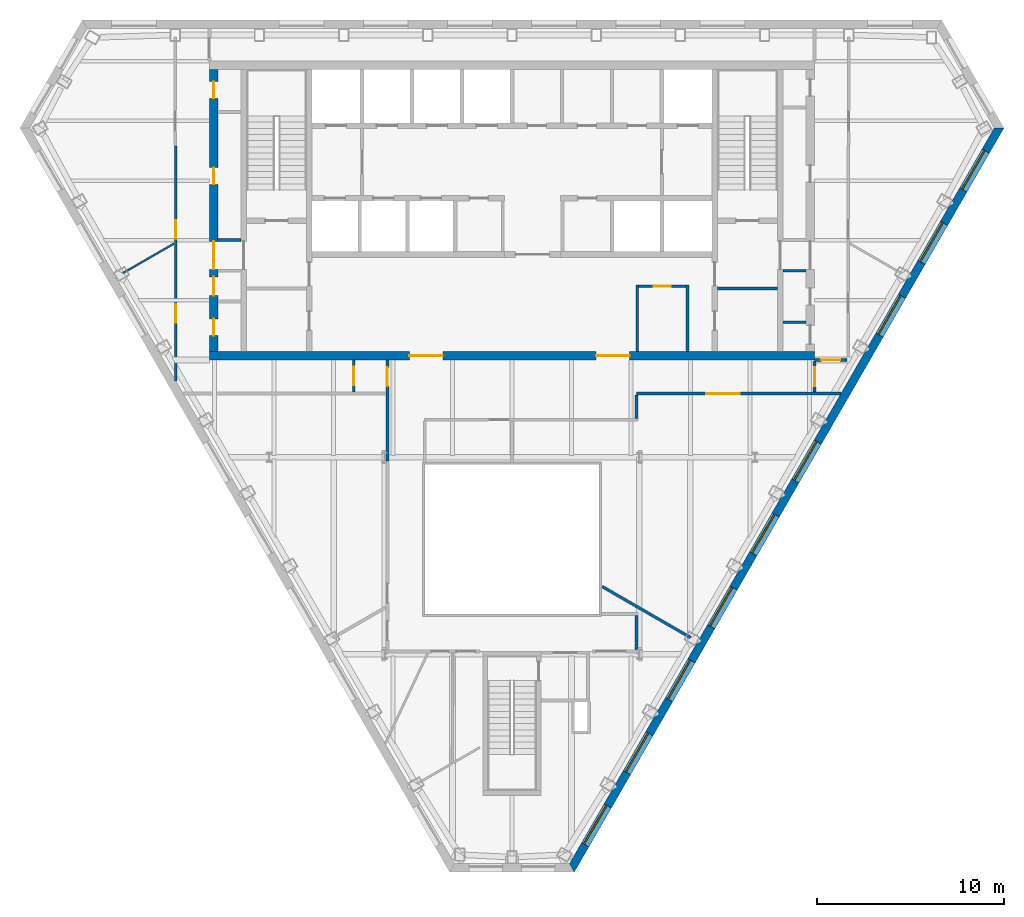
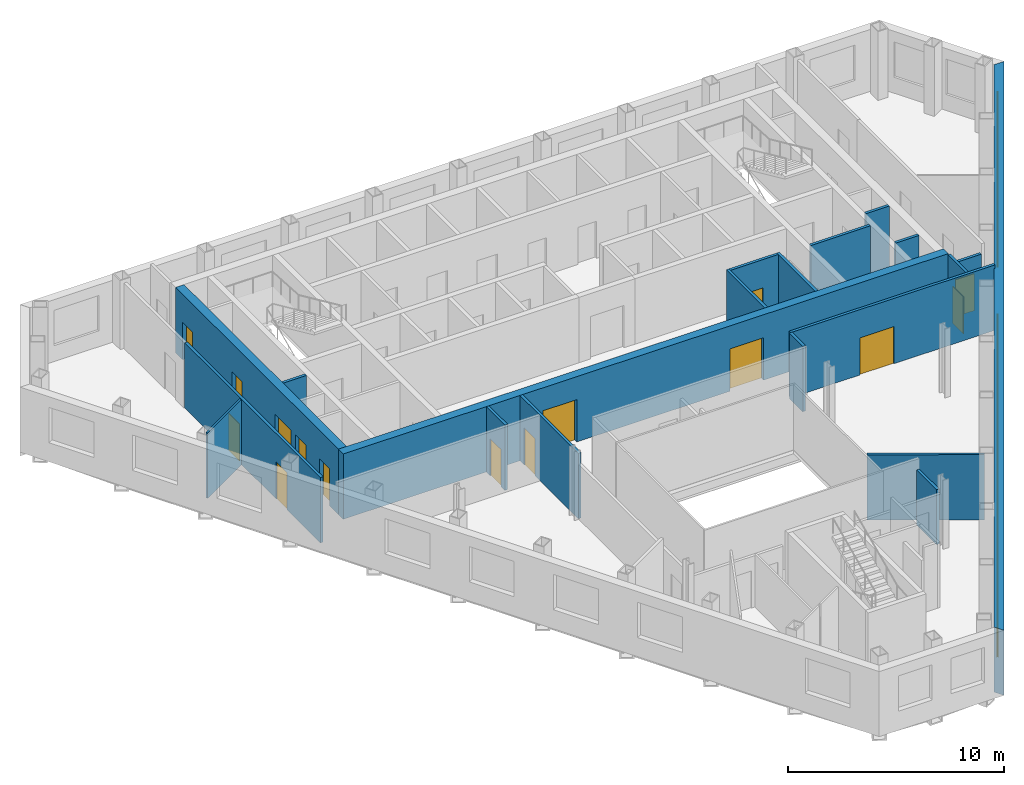
# One storey, part 5 of 10: 20 walls, 15 doors, 9 windows, 24 openings.
"""IFC4 building model written with IfcOpenShell, lengths in metres."""

from ifc_helpers import new_model, si_unit, direction, frame, frame_2d, origin, place, context, subcontext, project, spatial, polyline, rectangle, outline, extrude, material, layer, layer_set, type_object, element, fill, save


model = new_model("IFC4")

# Units and contexts
model_context = context("Model", 3, precision=1e-05, world=origin(), true_north=direction((0.0, 1.0)))
body_context = subcontext(model_context, "Body", "Model", "MODEL_VIEW")
ifc_project = project(units=[si_unit("LENGTHUNIT", "METRE"), si_unit("AREAUNIT", "SQUARE_METRE"), si_unit("VOLUMEUNIT", "CUBIC_METRE"), si_unit("PLANEANGLEUNIT", "RADIAN"), si_unit("MASSUNIT", "GRAM", prefix="KILO")], contexts=[model_context])

# Site, building, storey
site_placement = place(None, origin())
site = spatial("IfcSite", under=ifc_project, at=site_placement, CompositionType="ELEMENT")
building_placement = place(site_placement, origin())
building = spatial("IfcBuilding", under=site, at=building_placement, Name="Njiva Tower", CompositionType="ELEMENT")
storey_placement = place(building_placement, frame((0.0, 0.0, 227.7)))
storey = spatial("IfcBuildingStorey", under=building, at=storey_placement, Name="L51", CompositionType="ELEMENT", Elevation=227.7)

# Walls
ifc_material_1 = material(Name="Blockwork", Category="masonry")
ifc_layer_1 = layer(ifc_material_1, 0.15)
ifc_layer_set_1 = layer_set([ifc_layer_1], Name="Blockwork")
wall_type_1 = type_object("IfcWallType", Name="WT1 Compartment partition 150", PredefinedType="PARTITIONING", material=ifc_layer_set_1)
wall_1_placement = place(storey_placement, frame((11.0, 5.825, 0.0), z_axis=(0.0, 0.0, 1.0), x_axis=(1.0, 0.0, 0.0)))
element("IfcWall", 1, at=wall_1_placement, inside=storey, type_object=wall_type_1, Name="Room wall B", PredefinedType="PARTITIONING", context=body_context, shape_type="SweptSolid", body=[
    extrude(rectangle(XDim=3.2, YDim=0.15, at=frame_2d((1.6, 0.0))), origin(), (0.0, 0.0, 1.0), 3.7),
])
wall_2_placement = place(storey_placement, frame((14.5, 4.025, 0.0), z_axis=(0.0, 0.0, 1.0), x_axis=(1.0, 0.0, 0.0)))
element("IfcWall", 2, at=wall_2_placement, inside=storey, type_object=wall_type_1, Name="Partition strip E00", PredefinedType="PARTITIONING", context=body_context, shape_type="SweptSolid", body=[
    extrude(rectangle(XDim=1.25, YDim=0.15, at=frame_2d((0.625, 0.0))), origin(), (0.0, 0.0, 1.0), 3.7),
])
for number, where, z_axis, x_axis, name in (
    (3, (6.7, 2.45, 0.0), (0.0, 0.0, 1.0), (0.0, 1.0, 0.0), "Security office wall west"),
    (4, (9.4, 2.45, 0.0), (0.0, 0.0, 1.0), (0.0, 1.0, 0.0), "Security office wall east"),
):
    element("IfcWall", number, at=place(storey_placement, frame(where, z_axis=z_axis, x_axis=x_axis)), inside=storey, type_object=wall_type_1, Name=name, PredefinedType="PARTITIONING", context=body_context, shape_type="SweptSolid", body=[
        extrude(rectangle(XDim=3.575, YDim=0.15, at=frame_2d((1.7875, 0.0))), origin(), (0.0, 0.0, 1.0), 3.7),
    ])

# Wall, opening, door
wall_3_placement = place(storey_placement, frame((6.775, 5.95, 0.0), z_axis=(0.0, 0.0, 1.0), x_axis=(1.0, 0.0, 0.0)))
wall_3 = element("IfcWall", 5, at=wall_3_placement, inside=storey, type_object=wall_type_1, Name="Security office wall north", PredefinedType="PARTITIONING", context=body_context, shape_type="SweptSolid", body=[
    extrude(rectangle(XDim=2.55, YDim=0.15, at=frame_2d((1.275, 0.0))), origin(), (0.0, 0.0, 1.0), 3.7),
])
opening_1_placement = place(wall_3_placement, frame((0.825, 0.0, 0.0)))
opening_1 = element("IfcOpeningElement", 6, at=opening_1_placement, cuts=wall_3, Name="Opening S17-D934", PredefinedType="OPENING", context=body_context, shape_type="SweptSolid", body=[
    extrude(rectangle(XDim=0.9, YDim=2.1, at=frame_2d((0.45, 1.05))), frame((0.0, 0.085, 0.0), z_axis=(0.0, -1.0, 0.0), x_axis=(1.0, 0.0, 0.0)), (0.0, 0.0, 1.0), 0.17),
])
ifc_material_2 = material(Name="Steel fire door, painted", Category="steel")
door_type_1 = type_object("IfcDoorType", Name="D6 Fire-rated door 900x2100", OperationType="SINGLE_SWING_LEFT", PredefinedType="DOOR", material=ifc_material_2)
door_1_placement = place(opening_1_placement, origin())
door_1 = element("IfcDoor", 7, at=door_1_placement, inside=storey, type_object=door_type_1, Name="Security office door", OperationType="SINGLE_SWING_RIGHT", OverallHeight=2.1, OverallWidth=0.9, PredefinedType="DOOR", context=body_context, shape_type="SweptSolid", body=[
    extrude(rectangle(XDim=0.9, YDim=2.1, at=frame_2d((0.45, 1.05))), frame((0.0, 0.025, 0.0), z_axis=(0.0, -1.0, 0.0), x_axis=(1.0, 0.0, 0.0)), (0.0, 0.0, 1.0), 0.05),
])
fill(opening_1, door_1)

# Wall, openings, doors
ifc_material_3 = material(Name="Concrete C60/75", Category="concrete")
ifc_layer_2 = layer(ifc_material_3, 0.45)
ifc_layer_set_2 = layer_set([ifc_layer_2], Name="Concrete C60/75")
wall_type_2 = type_object("IfcWallType", Name="WT12 Core wall 450", PredefinedType="SHEAR", material=ifc_layer_set_2)
wall_4_placement = place(storey_placement, frame((-16.2, 2.225, 0.0), z_axis=(0.0, 0.0, 1.0), x_axis=(1.0, 0.0, 0.0)))
wall_4 = element("IfcWall", 8, at=wall_4_placement, inside=storey, type_object=wall_type_2, Name="Core wall south", PredefinedType="SHEAR", context=body_context, shape_type="SweptSolid", body=[
    extrude(rectangle(XDim=32.4, YDim=0.45, at=frame_2d((16.2, 0.0))), origin(), (0.0, 0.0, 1.0), 3.7),
])
opening_2_placement = place(wall_4_placement, frame((10.7, 0.0, 0.0)))
opening_2 = element("IfcOpeningElement", 9, at=opening_2_placement, cuts=wall_4, Name="Opening S17-D936", PredefinedType="OPENING", context=body_context, shape_type="SweptSolid", body=[
    extrude(rectangle(XDim=1.8, YDim=2.4, at=frame_2d((0.9, 1.2))), frame((0.0, 0.235, 0.0), z_axis=(0.0, -1.0, 0.0), x_axis=(1.0, 0.0, 0.0)), (0.0, 0.0, 1.0), 0.47),
])
opening_3_placement = place(wall_4_placement, frame((20.7, 0.0, 0.0)))
opening_3 = element("IfcOpeningElement", 10, at=opening_3_placement, cuts=wall_4, Name="Opening S17-D937", PredefinedType="OPENING", context=body_context, shape_type="SweptSolid", body=[
    extrude(rectangle(XDim=1.8, YDim=2.4, at=frame_2d((0.9, 1.2))), frame((0.0, 0.235, 0.0), z_axis=(0.0, -1.0, 0.0), x_axis=(1.0, 0.0, 0.0)), (0.0, 0.0, 1.0), 0.47),
])
ifc_material_4 = material(Name="Steel and glass door", Category="steel")
door_type_2 = type_object("IfcDoorType", Name="D3 Core entrance door 1800x2400", OperationType="DOUBLE_DOOR_SINGLE_SWING", PredefinedType="DOOR", material=ifc_material_4)
door_2_placement = place(opening_2_placement, origin())
door_2 = element("IfcDoor", 11, at=door_2_placement, inside=storey, type_object=door_type_2, Name="Core entrance door", OperationType="DOUBLE_DOOR_SINGLE_SWING", OverallHeight=2.4, OverallWidth=1.8, PredefinedType="DOOR", context=body_context, shape_type="SweptSolid", body=[
    extrude(rectangle(XDim=1.8, YDim=2.4, at=frame_2d((0.9, 1.2))), frame((0.0, 0.025, 0.0), z_axis=(0.0, -1.0, 0.0), x_axis=(1.0, 0.0, 0.0)), (0.0, 0.0, 1.0), 0.05),
])
fill(opening_2, door_2)
door_3_placement = place(opening_3_placement, origin())
door_3 = element("IfcDoor", 12, at=door_3_placement, inside=storey, type_object=door_type_2, Name="Core entrance door", OperationType="DOUBLE_DOOR_SINGLE_SWING", OverallHeight=2.4, OverallWidth=1.8, PredefinedType="DOOR", context=body_context, shape_type="SweptSolid", body=[
    extrude(rectangle(XDim=1.8, YDim=2.4, at=frame_2d((0.9, 1.2))), frame((0.0, 0.025, 0.0), z_axis=(0.0, -1.0, 0.0), x_axis=(1.0, 0.0, 0.0)), (0.0, 0.0, 1.0), 0.05),
])
fill(opening_3, door_3)

wall_5_placement = place(storey_placement, frame((-15.975, 2.45, 0.0), z_axis=(0.0, 0.0, 1.0), x_axis=(0.0, 1.0, 0.0)))
wall_5 = element("IfcWall", 13, at=wall_5_placement, inside=storey, type_object=wall_type_2, Name="Core wall west", PredefinedType="SHEAR", context=body_context, shape_type="SweptSolid", body=[
    extrude(rectangle(XDim=15.1, YDim=0.45, at=frame_2d((7.55, 0.0))), origin(), (0.0, 0.0, 1.0), 3.7),
])
opening_4_placement = place(wall_5_placement, frame((4.4, 0.0, 0.0)))
opening_4 = element("IfcOpeningElement", 14, at=opening_4_placement, cuts=wall_5, Name="Opening S17-D923", PredefinedType="OPENING", context=body_context, shape_type="SweptSolid", body=[
    extrude(rectangle(XDim=1.5, YDim=2.1, at=frame_2d((0.75, 1.05))), frame((0.0, 0.235, 0.0), z_axis=(0.0, -1.0, 0.0), x_axis=(1.0, 0.0, 0.0)), (0.0, 0.0, 1.0), 0.47),
])
opening_5_placement = place(wall_5_placement, frame((0.85, 0.0, 0.0)))
opening_5 = element("IfcOpeningElement", 15, at=opening_5_placement, cuts=wall_5, Name="Opening S17-D924", PredefinedType="OPENING", context=body_context, shape_type="SweptSolid", body=[
    extrude(rectangle(XDim=0.9, YDim=2.1, at=frame_2d((0.45, 1.05))), frame((0.0, 0.235, 0.0), z_axis=(0.0, -1.0, 0.0), x_axis=(1.0, 0.0, 0.0)), (0.0, 0.0, 1.0), 0.47),
])
opening_6_placement = place(wall_5_placement, frame((3.0, 0.0, 0.0)))
opening_6 = element("IfcOpeningElement", 16, at=opening_6_placement, cuts=wall_5, Name="Opening S17-D925", PredefinedType="OPENING", context=body_context, shape_type="SweptSolid", body=[
    extrude(rectangle(XDim=1.0, YDim=2.1, at=frame_2d((0.5, 1.05))), frame((0.0, 0.235, 0.0), z_axis=(0.0, -1.0, 0.0), x_axis=(1.0, 0.0, 0.0)), (0.0, 0.0, 1.0), 0.47),
])
opening_7_placement = place(wall_5_placement, frame((8.9511, 0.0, 0.0)))
opening_7 = element("IfcOpeningElement", 17, at=opening_7_placement, cuts=wall_5, Name="Opening S17-D926", PredefinedType="OPENING", context=body_context, shape_type="SweptSolid", body=[
    extrude(rectangle(XDim=0.9, YDim=2.1, at=frame_2d((0.45, 1.05))), frame((0.0, 0.235, 0.0), z_axis=(0.0, -1.0, 0.0), x_axis=(1.0, 0.0, 0.0)), (0.0, 0.0, 1.0), 0.47),
])
opening_8_placement = place(wall_5_placement, frame((13.5511, 0.0, 0.0)))
opening_8 = element("IfcOpeningElement", 18, at=opening_8_placement, cuts=wall_5, Name="Opening S17-D927", PredefinedType="OPENING", context=body_context, shape_type="SweptSolid", body=[
    extrude(rectangle(XDim=0.9, YDim=2.1, at=frame_2d((0.45, 1.05))), frame((0.0, 0.235, 0.0), z_axis=(0.0, -1.0, 0.0), x_axis=(1.0, 0.0, 0.0)), (0.0, 0.0, 1.0), 0.47),
])
ifc_material_5 = material(Name="Glazed steel fire door", Category="steel")
door_type_3 = type_object("IfcDoorType", Name="D10 Exit door double 1500x2100 glazed", OperationType="DOUBLE_DOOR_SINGLE_SWING", PredefinedType="DOOR", material=ifc_material_5)
door_4_placement = place(opening_4_placement, origin())
door_4 = element("IfcDoor", 19, at=door_4_placement, inside=storey, type_object=door_type_3, Name="Stair A corridor door", OperationType="DOUBLE_DOOR_SINGLE_SWING", OverallHeight=2.1, OverallWidth=1.5, PredefinedType="DOOR", context=body_context, shape_type="SweptSolid", body=[
    extrude(rectangle(XDim=1.5, YDim=2.1, at=frame_2d((0.75, 1.05))), frame((0.0, 0.025, 0.0), z_axis=(0.0, -1.0, 0.0), x_axis=(1.0, 0.0, 0.0)), (0.0, 0.0, 1.0), 0.05),
])
fill(opening_4, door_4)
ifc_material_6 = material(Name="Steel door, painted", Category="steel")
door_type_4 = type_object("IfcDoorType", Name="D4 Riser door 900x2100", OperationType="SINGLE_SWING_LEFT", PredefinedType="DOOR", material=ifc_material_6)
door_5_placement = place(opening_8_placement, origin())
door_5 = element("IfcDoor", 20, at=door_5_placement, inside=storey, type_object=door_type_4, Name="Cable riser door", OperationType="SINGLE_SWING_LEFT", OverallHeight=2.1, OverallWidth=0.9, PredefinedType="DOOR", context=body_context, shape_type="SweptSolid", body=[
    extrude(rectangle(XDim=0.9, YDim=2.1, at=frame_2d((0.45, 1.05))), frame((0.0, 0.025, 0.0), z_axis=(0.0, -1.0, 0.0), x_axis=(1.0, 0.0, 0.0)), (0.0, 0.0, 1.0), 0.05),
])
fill(opening_8, door_5)
door_type_5 = type_object("IfcDoorType", Name="D5 Steel door 1000x2100", OperationType="SINGLE_SWING_LEFT", PredefinedType="DOOR", material=ifc_material_6)
door_6_placement = place(opening_6_placement, origin())
door_6 = element("IfcDoor", 21, at=door_6_placement, inside=storey, type_object=door_type_5, Name="Electrical room door", OperationType="SINGLE_SWING_RIGHT", OverallHeight=2.1, OverallWidth=1.0, PredefinedType="DOOR", context=body_context, shape_type="SweptSolid", body=[
    extrude(rectangle(XDim=1.0, YDim=2.1, at=frame_2d((0.5, 1.05))), frame((0.0, 0.025, 0.0), z_axis=(0.0, -1.0, 0.0), x_axis=(1.0, 0.0, 0.0)), (0.0, 0.0, 1.0), 0.05),
])
fill(opening_6, door_6)
door_7_placement = place(opening_5_placement, origin())
door_7 = element("IfcDoor", 22, at=door_7_placement, inside=storey, type_object=door_type_1, Name="Cable store door", OperationType="SINGLE_SWING_RIGHT", OverallHeight=2.1, OverallWidth=0.9, PredefinedType="DOOR", context=body_context, shape_type="SweptSolid", body=[
    extrude(rectangle(XDim=0.9, YDim=2.1, at=frame_2d((0.45, 1.05))), frame((0.0, 0.025, 0.0), z_axis=(0.0, -1.0, 0.0), x_axis=(1.0, 0.0, 0.0)), (0.0, 0.0, 1.0), 0.05),
])
fill(opening_5, door_7)
door_8_placement = place(opening_7_placement, origin())
door_8 = element("IfcDoor", 23, at=door_8_placement, inside=storey, type_object=door_type_1, Name="Cable store door", OperationType="SINGLE_SWING_LEFT", OverallHeight=2.1, OverallWidth=0.9, PredefinedType="DOOR", context=body_context, shape_type="SweptSolid", body=[
    extrude(rectangle(XDim=0.9, YDim=2.1, at=frame_2d((0.45, 1.05))), frame((0.0, 0.025, 0.0), z_axis=(0.0, -1.0, 0.0), x_axis=(1.0, 0.0, 0.0)), (0.0, 0.0, 1.0), 0.05),
])
fill(opening_7, door_8)

# Wall
ifc_material_7 = material(Name="Gypsum board on steel studs", Category="gypsum")
ifc_layer_3 = layer(ifc_material_7, 0.1)
ifc_layer_set_3 = layer_set([ifc_layer_3], Name="Gypsum board on steel studs")
wall_type_3 = type_object("IfcWallType", Name="WT20 Gypsum partition 100", PredefinedType="PARTITIONING", material=ifc_layer_set_3)
wall_6_placement = place(storey_placement, frame((-20.818, 6.66, 0.0), z_axis=(0.0, 0.0, 1.0), x_axis=(0.866058244174, 0.499943114462, 0.0)))
element("IfcWall", 24, at=wall_6_placement, inside=storey, type_object=wall_type_3, Name="Partition S17-P001", PredefinedType="PARTITIONING", context=body_context, shape_type="SweptSolid", body=[
    extrude(rectangle(XDim=3.1384, YDim=0.1, at=frame_2d((1.5692, 0.0))), origin(), (0.0, 0.0, 1.0), 3.7),
])

# Wall, openings, doors
ifc_layer_4 = layer(ifc_material_7, 0.15)
ifc_layer_set_4 = layer_set([ifc_layer_4], Name="Gypsum board on steel studs")
wall_type_4 = type_object("IfcWallType", Name="WT21 Compartment wall 150", PredefinedType="PARTITIONING", material=ifc_layer_set_4)
wall_7_placement = place(storey_placement, frame((-18.0, 0.879, 0.0), z_axis=(0.0, 0.0, 1.0), x_axis=(0.0, 1.0, 0.0)))
wall_7 = element("IfcWall", 25, at=wall_7_placement, inside=storey, type_object=wall_type_4, Name="Partition S17-P003", PredefinedType="PARTITIONING", context=body_context, shape_type="SweptSolid", body=[
    extrude(rectangle(XDim=12.579, YDim=0.15, at=frame_2d((6.2895, 0.0))), origin(), (0.0, 0.0, 1.0), 3.7),
])
opening_9_placement = place(wall_7_placement, frame((3.103, 0.0, 0.0)))
opening_9 = element("IfcOpeningElement", 26, at=opening_9_placement, cuts=wall_7, Name="Opening S17-D002", PredefinedType="OPENING", context=body_context, shape_type="SweptSolid", body=[
    extrude(rectangle(XDim=1.0, YDim=2.1, at=frame_2d((0.5, 1.05))), frame((0.0, 0.085, 0.0), z_axis=(0.0, -1.0, 0.0), x_axis=(1.0, 0.0, 0.0)), (0.0, 0.0, 1.0), 0.17),
])
opening_10_placement = place(wall_7_placement, frame((7.608, 0.0, 0.0)))
opening_10 = element("IfcOpeningElement", 27, at=opening_10_placement, cuts=wall_7, Name="Opening S17-D003", PredefinedType="OPENING", context=body_context, shape_type="SweptSolid", body=[
    extrude(rectangle(XDim=1.0, YDim=2.1, at=frame_2d((0.5, 1.05))), frame((0.0, 0.085, 0.0), z_axis=(0.0, -1.0, 0.0), x_axis=(1.0, 0.0, 0.0)), (0.0, 0.0, 1.0), 0.17),
])
ifc_material_8 = material(Name="Steel fire door set", Category="steel")
door_type_6 = type_object("IfcDoorType", Name="D37 Fire door 1000x2100", OperationType="SINGLE_SWING_LEFT", PredefinedType="DOOR", material=ifc_material_8)
door_9_placement = place(opening_9_placement, origin())
door_9 = element("IfcDoor", 28, at=door_9_placement, inside=storey, type_object=door_type_6, Name="Door S17-D002", OperationType="SINGLE_SWING_RIGHT", OverallHeight=2.1, OverallWidth=1.0, PredefinedType="DOOR", context=body_context, shape_type="SweptSolid", body=[
    extrude(rectangle(XDim=1.0, YDim=2.1, at=frame_2d((0.5, 1.05))), frame((0.0, 0.025, 0.0), z_axis=(0.0, -1.0, 0.0), x_axis=(1.0, 0.0, 0.0)), (0.0, 0.0, 1.0), 0.05),
])
fill(opening_9, door_9)
door_10_placement = place(opening_10_placement, origin())
door_10 = element("IfcDoor", 29, at=door_10_placement, inside=storey, type_object=door_type_6, Name="Door S17-D003", OperationType="SINGLE_SWING_LEFT", OverallHeight=2.1, OverallWidth=1.0, PredefinedType="DOOR", context=body_context, shape_type="SweptSolid", body=[
    extrude(rectangle(XDim=1.0, YDim=2.1, at=frame_2d((0.5, 1.05))), frame((0.0, 0.025, 0.0), z_axis=(0.0, -1.0, 0.0), x_axis=(1.0, 0.0, 0.0)), (0.0, 0.0, 1.0), 0.05),
])
fill(opening_10, door_10)

# Wall, opening, door
wall_8_placement = place(storey_placement, frame((-8.47, 0.275, 0.0), z_axis=(0.0, 0.0, 1.0), x_axis=(0.0, 1.0, 0.0)))
wall_8 = element("IfcWall", 30, at=wall_8_placement, inside=storey, type_object=wall_type_4, Name="Partition S17-P007", PredefinedType="PARTITIONING", context=body_context, shape_type="SweptSolid", body=[
    extrude(rectangle(XDim=1.725, YDim=0.15, at=frame_2d((0.8625, 0.0))), origin(), (0.0, 0.0, 1.0), 3.7),
])
opening_11_placement = place(wall_8_placement, frame((0.363, 0.0, 0.0)))
opening_11 = element("IfcOpeningElement", 31, at=opening_11_placement, cuts=wall_8, Name="Opening S17-D005", PredefinedType="OPENING", context=body_context, shape_type="SweptSolid", body=[
    extrude(rectangle(XDim=1.0, YDim=2.1, at=frame_2d((0.5, 1.05))), frame((0.0, 0.085, 0.0), z_axis=(0.0, -1.0, 0.0), x_axis=(1.0, 0.0, 0.0)), (0.0, 0.0, 1.0), 0.17),
])
door_11_placement = place(opening_11_placement, origin())
door_11 = element("IfcDoor", 32, at=door_11_placement, inside=storey, type_object=door_type_6, Name="Door S17-D005", OperationType="SINGLE_SWING_LEFT", OverallHeight=2.1, OverallWidth=1.0, PredefinedType="DOOR", context=body_context, shape_type="SweptSolid", body=[
    extrude(rectangle(XDim=1.0, YDim=2.1, at=frame_2d((0.5, 1.05))), frame((0.0, 0.025, 0.0), z_axis=(0.0, -1.0, 0.0), x_axis=(1.0, 0.0, 0.0)), (0.0, 0.0, 1.0), 0.05),
])
fill(opening_11, door_11)

wall_9_placement = place(storey_placement, frame((-6.67, -3.412, 0.0), z_axis=(0.0, 0.0, 1.0), x_axis=(0.0, 1.0, 0.0)))
wall_9 = element("IfcWall", 33, at=wall_9_placement, inside=storey, type_object=wall_type_4, Name="Partition S17-P009A", PredefinedType="PARTITIONING", context=body_context, shape_type="SweptSolid", body=[
    extrude(rectangle(XDim=5.412, YDim=0.15, at=frame_2d((2.706, 0.0))), origin(), (0.0, 0.0, 1.0), 3.7),
])
opening_12_placement = place(wall_9_placement, frame((4.012, 0.0, 0.0)))
opening_12 = element("IfcOpeningElement", 34, at=opening_12_placement, cuts=wall_9, Name="Opening S17-D008", PredefinedType="OPENING", context=body_context, shape_type="SweptSolid", body=[
    extrude(rectangle(XDim=1.0, YDim=2.1, at=frame_2d((0.5, 1.05))), frame((0.0, 0.085, 0.0), z_axis=(0.0, -1.0, 0.0), x_axis=(1.0, 0.0, 0.0)), (0.0, 0.0, 1.0), 0.17),
])
door_12_placement = place(opening_12_placement, origin())
door_12 = element("IfcDoor", 35, at=door_12_placement, inside=storey, type_object=door_type_6, Name="Door S17-D008", OperationType="SINGLE_SWING_LEFT", OverallHeight=2.1, OverallWidth=1.0, PredefinedType="DOOR", context=body_context, shape_type="SweptSolid", body=[
    extrude(rectangle(XDim=1.0, YDim=2.1, at=frame_2d((0.5, 1.05))), frame((0.0, 0.025, 0.0), z_axis=(0.0, -1.0, 0.0), x_axis=(1.0, 0.0, 0.0)), (0.0, 0.0, 1.0), 0.05),
])
fill(opening_12, door_12)

# Walls
wall_10_placement = place(storey_placement, frame((4.827, -10.127, 0.0), z_axis=(0.0, 0.0, 1.0), x_axis=(0.866103179807, -0.499865263774, 0.0)))
element("IfcWall", 36, at=wall_10_placement, inside=storey, type_object=wall_type_4, Name="Partition S17-P019", PredefinedType="PARTITIONING", context=body_context, shape_type="SweptSolid", body=[
    extrude(rectangle(XDim=5.4555, YDim=0.15, at=frame_2d((2.7278, 0.0))), origin(), (0.0, 0.0, 1.0), 3.7),
])
wall_11_placement = place(storey_placement, frame((6.67, -13.525, 0.0), z_axis=(0.0, 0.0, 1.0), x_axis=(0.0, 1.0, 0.0)))
element("IfcWall", 37, at=wall_11_placement, inside=storey, type_object=wall_type_4, Name="Partition S17-P020", PredefinedType="PARTITIONING", context=body_context, shape_type="SweptSolid", body=[
    extrude(rectangle(XDim=1.85, YDim=0.15, at=frame_2d((0.925, 0.0))), origin(), (0.0, 0.0, 1.0), 3.11),
])
wall_12_placement = place(storey_placement, frame((6.67, -1.125, 0.0), z_axis=(0.0, 0.0, 1.0), x_axis=(0.0, 1.0, 0.0)))
element("IfcWall", 38, at=wall_12_placement, inside=storey, type_object=wall_type_4, Name="Partition S17-P021", PredefinedType="PARTITIONING", context=body_context, shape_type="SweptSolid", body=[
    extrude(rectangle(XDim=1.25, YDim=0.15, at=frame_2d((0.625, 0.0))), origin(), (0.0, 0.0, 1.0), 3.7),
])

# Wall, opening, door
wall_13_placement = place(storey_placement, frame((6.67, 0.2, 0.0), z_axis=(0.0, 0.0, 1.0), x_axis=(1.0, 0.0, 0.0)))
wall_13 = element("IfcWall", 39, at=wall_13_placement, inside=storey, type_object=wall_type_4, Name="Partition S17-P022", PredefinedType="PARTITIONING", context=body_context, shape_type="SweptSolid", body=[
    extrude(rectangle(XDim=10.938, YDim=0.15, at=frame_2d((5.469, 0.0))), origin(), (0.0, 0.0, 1.0), 3.7),
])
opening_13_placement = place(wall_13_placement, frame((3.721, 0.0, 0.0)))
opening_13 = element("IfcOpeningElement", 40, at=opening_13_placement, cuts=wall_13, Name="Opening S17-D013", PredefinedType="OPENING", context=body_context, shape_type="SweptSolid", body=[
    extrude(rectangle(XDim=1.8, YDim=2.1, at=frame_2d((0.9, 1.05))), frame((0.0, 0.085, 0.0), z_axis=(0.0, -1.0, 0.0), x_axis=(1.0, 0.0, 0.0)), (0.0, 0.0, 1.0), 0.17),
])
door_type_7 = type_object("IfcDoorType", Name="D38 Fire door 1800x2100", OperationType="DOUBLE_DOOR_SINGLE_SWING", PredefinedType="DOOR", material=ifc_material_8)
door_13_placement = place(opening_13_placement, origin())
door_13 = element("IfcDoor", 41, at=door_13_placement, inside=storey, type_object=door_type_7, Name="Door S17-D013", OperationType="DOUBLE_DOOR_SINGLE_SWING", OverallHeight=2.1, OverallWidth=1.8, PredefinedType="DOOR", context=body_context, shape_type="SweptSolid", body=[
    extrude(rectangle(XDim=1.8, YDim=2.1, at=frame_2d((0.9, 1.05))), frame((0.0, 0.025, 0.0), z_axis=(0.0, -1.0, 0.0), x_axis=(1.0, 0.0, 0.0)), (0.0, 0.0, 1.0), 0.05),
])
fill(opening_13, door_13)

wall_14_placement = place(storey_placement, frame((16.2, 0.275, 0.0), z_axis=(0.0, 0.0, 1.0), x_axis=(0.0, 1.0, 0.0)))
wall_14 = element("IfcWall", 42, at=wall_14_placement, inside=storey, type_object=wall_type_4, Name="Partition S17-P023", PredefinedType="PARTITIONING", context=body_context, shape_type="SweptSolid", body=[
    extrude(rectangle(XDim=1.65, YDim=0.15, at=frame_2d((0.825, 0.0))), origin(), (0.0, 0.0, 1.0), 3.7),
])
opening_14_placement = place(wall_14_placement, frame((0.325, 0.0, 0.0)))
opening_14 = element("IfcOpeningElement", 43, at=opening_14_placement, cuts=wall_14, Name="Opening S17-D014", PredefinedType="OPENING", context=body_context, shape_type="SweptSolid", body=[
    extrude(rectangle(XDim=1.0, YDim=2.1, at=frame_2d((0.5, 1.05))), frame((0.0, 0.085, 0.0), z_axis=(0.0, -1.0, 0.0), x_axis=(1.0, 0.0, 0.0)), (0.0, 0.0, 1.0), 0.17),
])
door_14_placement = place(opening_14_placement, origin())
door_14 = element("IfcDoor", 44, at=door_14_placement, inside=storey, type_object=door_type_6, Name="Door S17-D014", OperationType="SINGLE_SWING_LEFT", OverallHeight=2.1, OverallWidth=1.0, PredefinedType="DOOR", context=body_context, shape_type="SweptSolid", body=[
    extrude(rectangle(XDim=1.0, YDim=2.1, at=frame_2d((0.5, 1.05))), frame((0.0, 0.025, 0.0), z_axis=(0.0, -1.0, 0.0), x_axis=(1.0, 0.0, 0.0)), (0.0, 0.0, 1.0), 0.05),
])
fill(opening_14, door_14)

wall_15_placement = place(storey_placement, frame((16.2, 2.0, 0.0), z_axis=(0.0, 0.0, 1.0), x_axis=(1.0, 0.0, 0.0)))
wall_15 = element("IfcWall", 45, at=wall_15_placement, inside=storey, type_object=wall_type_4, Name="Partition S17-P024", PredefinedType="PARTITIONING", context=body_context, shape_type="SweptSolid", body=[
    extrude(rectangle(XDim=1.725, YDim=0.15, at=frame_2d((0.8625, 0.0))), origin(), (0.0, 0.0, 1.0), 3.11),
])
opening_15_placement = place(wall_15_placement, frame((0.363, 0.0, 0.0)))
opening_15 = element("IfcOpeningElement", 46, at=opening_15_placement, cuts=wall_15, Name="Opening S17-D015", PredefinedType="OPENING", context=body_context, shape_type="SweptSolid", body=[
    extrude(rectangle(XDim=1.0, YDim=2.1, at=frame_2d((0.5, 1.05))), frame((0.0, 0.085, 0.0), z_axis=(0.0, -1.0, 0.0), x_axis=(1.0, 0.0, 0.0)), (0.0, 0.0, 1.0), 0.17),
])
door_15_placement = place(opening_15_placement, origin())
door_15 = element("IfcDoor", 47, at=door_15_placement, inside=storey, type_object=door_type_6, Name="Door S17-D015", OperationType="SINGLE_SWING_LEFT", OverallHeight=2.1, OverallWidth=1.0, PredefinedType="DOOR", context=body_context, shape_type="SweptSolid", body=[
    extrude(rectangle(XDim=1.0, YDim=2.1, at=frame_2d((0.5, 1.05))), frame((0.0, 0.025, 0.0), z_axis=(0.0, -1.0, 0.0), x_axis=(1.0, 0.0, 0.0)), (0.0, 0.0, 1.0), 0.05),
])
fill(opening_15, door_15)

# Walls
ifc_layer_5 = layer(ifc_material_1, 0.15)
ifc_layer_set_5 = layer_set([ifc_layer_5], Name="Blockwork")
wall_type_5 = type_object("IfcWallType", Name="WT4 Stair partition 150", PredefinedType="PARTITIONING", material=ifc_layer_set_5)
for number, where, z_axis, x_axis, name in (
    (48, (-15.75, 8.425, 0.0), (0.0, 0.0, 1.0), (1.0, 0.0, 0.0), "Stair A exit passage wall north"),
    (49, (14.5, 6.775, 0.0), (0.0, 0.0, 1.0), (1.0, 0.0, 0.0), "Stair B exit passage wall south"),
):
    element("IfcWall", number, at=place(storey_placement, frame(where, z_axis=z_axis, x_axis=x_axis)), inside=storey, type_object=wall_type_5, Name=name, PredefinedType="PARTITIONING", context=body_context, shape_type="SweptSolid", body=[
        extrude(rectangle(XDim=1.25, YDim=0.15, at=frame_2d((0.625, 0.0))), origin(), (0.0, 0.0, 1.0), 3.7),
    ])

# Wall, openings, windows
ifc_material_9 = material(Name="Brick masonry", Category="masonry")
ifc_layer_6 = layer(ifc_material_9, 0.45)
ifc_layer_set_6 = layer_set([ifc_layer_6], Name="Brick masonry")
wall_type_6 = type_object("IfcWallType", Name="WT90 Brick pier and spandrel wall 450", PredefinedType="SOLIDWALL", material=ifc_layer_set_6)
wall_16_placement = place(storey_placement, frame((3.2101, -25.1886, -0.18), z_axis=(0.0, 0.0, 1.0), x_axis=(0.499999194392, 0.866025868902, 0.0)))
wall_16 = element("IfcWall", 50, at=wall_16_placement, inside=storey, type_object=wall_type_6, Name="Facade wall SE", PredefinedType="SOLIDWALL", context=body_context, shape_type="SweptSolid", body=[
    extrude(outline(polyline([(-0.1299, -0.225), (45.8602, -0.225), (45.6004, 0.225), (0.1299, 0.225), (-0.1299, -0.225)])), origin(), (0.0, 0.0, 1.0), 3.68),
])
opening_16_placement = place(wall_16_placement, frame((1.4237, 0.0, 1.08)))
opening_16 = element("IfcOpeningElement", 51, at=opening_16_placement, cuts=wall_16, Name="Opening S17-W21", PredefinedType="OPENING", context=body_context, shape_type="SweptSolid", body=[
    extrude(rectangle(XDim=2.4, YDim=2.0, at=frame_2d((1.2, 1.0))), frame((0.0, 0.235, 0.0), z_axis=(0.0, -1.0, 0.0), x_axis=(1.0, 0.0, 0.0)), (0.0, 0.0, 1.0), 0.47),
])
opening_17_placement = place(wall_16_placement, frame((5.8919, 0.0, 1.08)))
opening_17 = element("IfcOpeningElement", 52, at=opening_17_placement, cuts=wall_16, Name="Opening S17-W22", PredefinedType="OPENING", context=body_context, shape_type="SweptSolid", body=[
    extrude(rectangle(XDim=2.4, YDim=2.0, at=frame_2d((1.2, 1.0))), frame((0.0, 0.235, 0.0), z_axis=(0.0, -1.0, 0.0), x_axis=(1.0, 0.0, 0.0)), (0.0, 0.0, 1.0), 0.47),
])
opening_18_placement = place(wall_16_placement, frame((10.3985, 0.0, 1.08)))
opening_18 = element("IfcOpeningElement", 53, at=opening_18_placement, cuts=wall_16, Name="Opening S17-W23", PredefinedType="OPENING", context=body_context, shape_type="SweptSolid", body=[
    extrude(rectangle(XDim=2.4, YDim=2.0, at=frame_2d((1.2, 1.0))), frame((0.0, 0.235, 0.0), z_axis=(0.0, -1.0, 0.0), x_axis=(1.0, 0.0, 0.0)), (0.0, 0.0, 1.0), 0.47),
])
opening_19_placement = place(wall_16_placement, frame((14.9052, 0.0, 1.08)))
opening_19 = element("IfcOpeningElement", 54, at=opening_19_placement, cuts=wall_16, Name="Opening S17-W24", PredefinedType="OPENING", context=body_context, shape_type="SweptSolid", body=[
    extrude(rectangle(XDim=2.4, YDim=2.0, at=frame_2d((1.2, 1.0))), frame((0.0, 0.235, 0.0), z_axis=(0.0, -1.0, 0.0), x_axis=(1.0, 0.0, 0.0)), (0.0, 0.0, 1.0), 0.47),
])
opening_20_placement = place(wall_16_placement, frame((19.4118, 0.0, 1.08)))
opening_20 = element("IfcOpeningElement", 55, at=opening_20_placement, cuts=wall_16, Name="Opening S17-W25", PredefinedType="OPENING", context=body_context, shape_type="SweptSolid", body=[
    extrude(rectangle(XDim=2.4, YDim=2.0, at=frame_2d((1.2, 1.0))), frame((0.0, 0.235, 0.0), z_axis=(0.0, -1.0, 0.0), x_axis=(1.0, 0.0, 0.0)), (0.0, 0.0, 1.0), 0.47),
])
opening_21_placement = place(wall_16_placement, frame((23.9184, 0.0, 1.08)))
opening_21 = element("IfcOpeningElement", 56, at=opening_21_placement, cuts=wall_16, Name="Opening S17-W26", PredefinedType="OPENING", context=body_context, shape_type="SweptSolid", body=[
    extrude(rectangle(XDim=2.4, YDim=2.0, at=frame_2d((1.2, 1.0))), frame((0.0, 0.235, 0.0), z_axis=(0.0, -1.0, 0.0), x_axis=(1.0, 0.0, 0.0)), (0.0, 0.0, 1.0), 0.47),
])
opening_22_placement = place(wall_16_placement, frame((32.9316, 0.0, 1.08)))
opening_22 = element("IfcOpeningElement", 57, at=opening_22_placement, cuts=wall_16, Name="Opening S17-W27", PredefinedType="OPENING", context=body_context, shape_type="SweptSolid", body=[
    extrude(rectangle(XDim=2.4, YDim=2.0, at=frame_2d((1.2, 1.0))), frame((0.0, 0.235, 0.0), z_axis=(0.0, -1.0, 0.0), x_axis=(1.0, 0.0, 0.0)), (0.0, 0.0, 1.0), 0.47),
])
opening_23_placement = place(wall_16_placement, frame((37.4383, 0.0, 1.08)))
opening_23 = element("IfcOpeningElement", 58, at=opening_23_placement, cuts=wall_16, Name="Opening S17-W28", PredefinedType="OPENING", context=body_context, shape_type="SweptSolid", body=[
    extrude(rectangle(XDim=2.4, YDim=2.0, at=frame_2d((1.2, 1.0))), frame((0.0, 0.235, 0.0), z_axis=(0.0, -1.0, 0.0), x_axis=(1.0, 0.0, 0.0)), (0.0, 0.0, 1.0), 0.47),
])
opening_24_placement = place(wall_16_placement, frame((41.9065, 0.0, 1.08)))
opening_24 = element("IfcOpeningElement", 59, at=opening_24_placement, cuts=wall_16, Name="Opening S17-W29", PredefinedType="OPENING", context=body_context, shape_type="SweptSolid", body=[
    extrude(rectangle(XDim=2.4, YDim=2.0, at=frame_2d((1.2, 1.0))), frame((0.0, 0.235, 0.0), z_axis=(0.0, -1.0, 0.0), x_axis=(1.0, 0.0, 0.0)), (0.0, 0.0, 1.0), 0.47),
])
ifc_material_10 = material(Name="Clear glazing in aluminium frame", Category="aluminium")
window_type = type_object("IfcWindowType", Name="W90 Deep-set window 2400x2000", PartitioningType="SINGLE_PANEL", PredefinedType="WINDOW", material=ifc_material_10)
window_1_placement = place(opening_16_placement, origin())
window_1 = element("IfcWindow", 60, at=window_1_placement, inside=storey, type_object=window_type, Name="Window", OverallHeight=2.0, OverallWidth=2.4, PartitioningType="SINGLE_PANEL", PredefinedType="WINDOW", context=body_context, shape_type="SweptSolid", body=[
    extrude(rectangle(XDim=2.4, YDim=2.0, at=frame_2d((1.2, 1.0))), frame((0.0, 0.105, 0.0), z_axis=(0.0, -1.0, 0.0), x_axis=(1.0, 0.0, 0.0)), (0.0, 0.0, 1.0), 0.06),
])
fill(opening_16, window_1)
window_2_placement = place(opening_17_placement, origin())
window_2 = element("IfcWindow", 61, at=window_2_placement, inside=storey, type_object=window_type, Name="Window", OverallHeight=2.0, OverallWidth=2.4, PartitioningType="SINGLE_PANEL", PredefinedType="WINDOW", context=body_context, shape_type="SweptSolid", body=[
    extrude(rectangle(XDim=2.4, YDim=2.0, at=frame_2d((1.2, 1.0))), frame((0.0, 0.105, 0.0), z_axis=(0.0, -1.0, 0.0), x_axis=(1.0, 0.0, 0.0)), (0.0, 0.0, 1.0), 0.06),
])
fill(opening_17, window_2)
window_3_placement = place(opening_18_placement, origin())
window_3 = element("IfcWindow", 62, at=window_3_placement, inside=storey, type_object=window_type, Name="Window", OverallHeight=2.0, OverallWidth=2.4, PartitioningType="SINGLE_PANEL", PredefinedType="WINDOW", context=body_context, shape_type="SweptSolid", body=[
    extrude(rectangle(XDim=2.4, YDim=2.0, at=frame_2d((1.2, 1.0))), frame((0.0, 0.105, 0.0), z_axis=(0.0, -1.0, 0.0), x_axis=(1.0, 0.0, 0.0)), (0.0, 0.0, 1.0), 0.06),
])
fill(opening_18, window_3)
window_4_placement = place(opening_19_placement, origin())
window_4 = element("IfcWindow", 63, at=window_4_placement, inside=storey, type_object=window_type, Name="Window", OverallHeight=2.0, OverallWidth=2.4, PartitioningType="SINGLE_PANEL", PredefinedType="WINDOW", context=body_context, shape_type="SweptSolid", body=[
    extrude(rectangle(XDim=2.4, YDim=2.0, at=frame_2d((1.2, 1.0))), frame((0.0, 0.105, 0.0), z_axis=(0.0, -1.0, 0.0), x_axis=(1.0, 0.0, 0.0)), (0.0, 0.0, 1.0), 0.06),
])
fill(opening_19, window_4)
window_5_placement = place(opening_20_placement, origin())
window_5 = element("IfcWindow", 64, at=window_5_placement, inside=storey, type_object=window_type, Name="Window", OverallHeight=2.0, OverallWidth=2.4, PartitioningType="SINGLE_PANEL", PredefinedType="WINDOW", context=body_context, shape_type="SweptSolid", body=[
    extrude(rectangle(XDim=2.4, YDim=2.0, at=frame_2d((1.2, 1.0))), frame((0.0, 0.105, 0.0), z_axis=(0.0, -1.0, 0.0), x_axis=(1.0, 0.0, 0.0)), (0.0, 0.0, 1.0), 0.06),
])
fill(opening_20, window_5)
window_6_placement = place(opening_21_placement, origin())
window_6 = element("IfcWindow", 65, at=window_6_placement, inside=storey, type_object=window_type, Name="Window", OverallHeight=2.0, OverallWidth=2.4, PartitioningType="SINGLE_PANEL", PredefinedType="WINDOW", context=body_context, shape_type="SweptSolid", body=[
    extrude(rectangle(XDim=2.4, YDim=2.0, at=frame_2d((1.2, 1.0))), frame((0.0, 0.105, 0.0), z_axis=(0.0, -1.0, 0.0), x_axis=(1.0, 0.0, 0.0)), (0.0, 0.0, 1.0), 0.06),
])
fill(opening_21, window_6)
window_7_placement = place(opening_22_placement, origin())
window_7 = element("IfcWindow", 66, at=window_7_placement, inside=storey, type_object=window_type, Name="Window", OverallHeight=2.0, OverallWidth=2.4, PartitioningType="SINGLE_PANEL", PredefinedType="WINDOW", context=body_context, shape_type="SweptSolid", body=[
    extrude(rectangle(XDim=2.4, YDim=2.0, at=frame_2d((1.2, 1.0))), frame((0.0, 0.105, 0.0), z_axis=(0.0, -1.0, 0.0), x_axis=(1.0, 0.0, 0.0)), (0.0, 0.0, 1.0), 0.06),
])
fill(opening_22, window_7)
window_8_placement = place(opening_23_placement, origin())
window_8 = element("IfcWindow", 67, at=window_8_placement, inside=storey, type_object=window_type, Name="Window", OverallHeight=2.0, OverallWidth=2.4, PartitioningType="SINGLE_PANEL", PredefinedType="WINDOW", context=body_context, shape_type="SweptSolid", body=[
    extrude(rectangle(XDim=2.4, YDim=2.0, at=frame_2d((1.2, 1.0))), frame((0.0, 0.105, 0.0), z_axis=(0.0, -1.0, 0.0), x_axis=(1.0, 0.0, 0.0)), (0.0, 0.0, 1.0), 0.06),
])
fill(opening_23, window_8)
window_9_placement = place(opening_24_placement, origin())
window_9 = element("IfcWindow", 68, at=window_9_placement, inside=storey, type_object=window_type, Name="Window", OverallHeight=2.0, OverallWidth=2.4, PartitioningType="SINGLE_PANEL", PredefinedType="WINDOW", context=body_context, shape_type="SweptSolid", body=[
    extrude(rectangle(XDim=2.4, YDim=2.0, at=frame_2d((1.2, 1.0))), frame((0.0, 0.105, 0.0), z_axis=(0.0, -1.0, 0.0), x_axis=(1.0, 0.0, 0.0)), (0.0, 0.0, 1.0), 0.06),
])
fill(opening_24, window_9)

save(model, "model.ifc")
